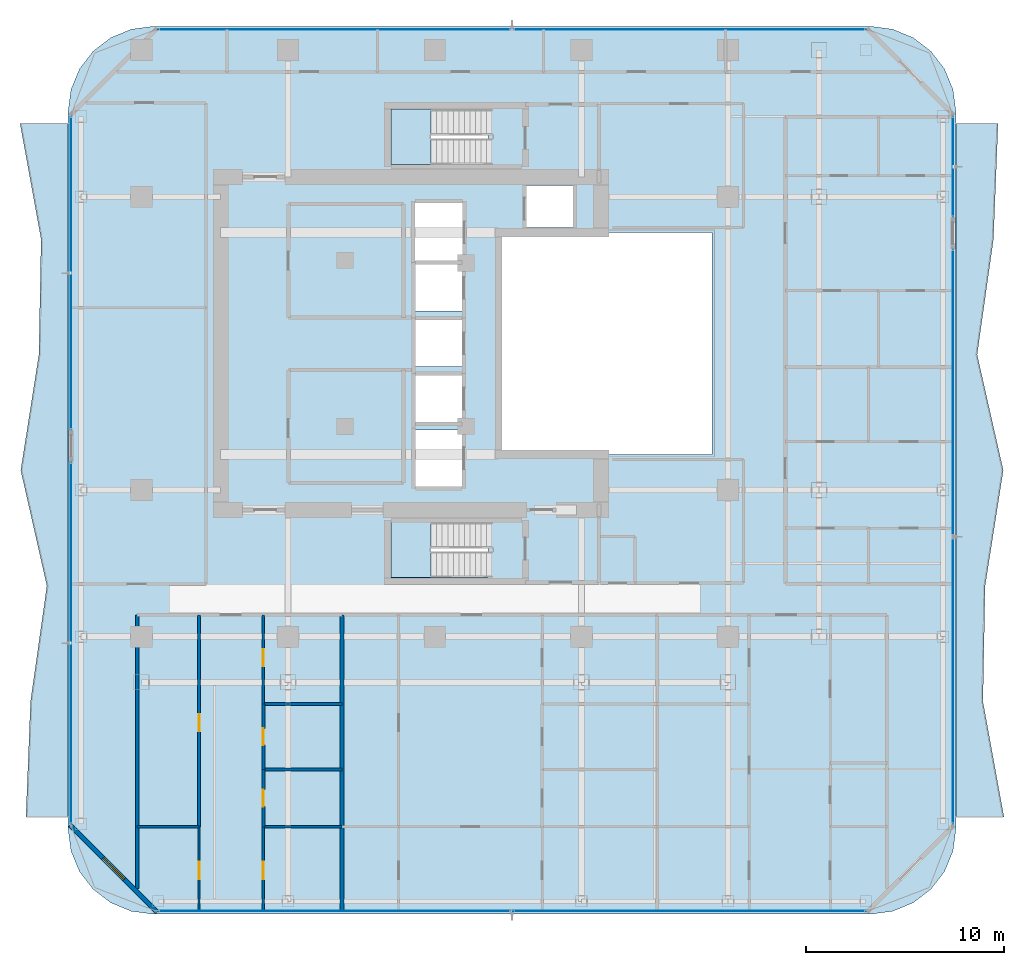
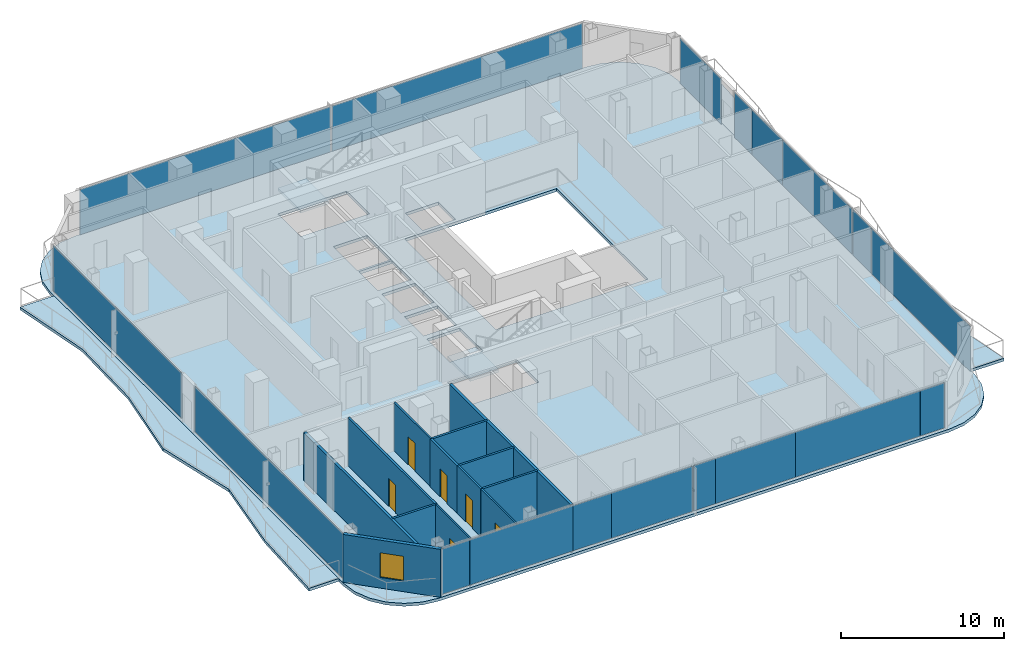
# One storey, part 19 of 27: 18 plates, 13 walls, 6 doors, 5 slabs, 1 window, 7 openings, 8 elements without a shape of their own.
"""IFC4 building model written with IfcOpenShell, lengths in metres."""

from ifc_helpers import new_model, si_unit, direction, frame, frame_2d, origin, origin_2d, place, context, subcontext, project, spatial, polyline, rectangle, outline, extrude, material, layer, layer_set, type_object, element, fill, aggregate, save


model = new_model("IFC4")

# Units and contexts
model_context = context("Model", 3, precision=1e-05, world=origin(), true_north=direction((0.0, 1.0)))
body_context = subcontext(model_context, "Body", "Model", "MODEL_VIEW")
ifc_project = project(units=[si_unit("LENGTHUNIT", "METRE"), si_unit("AREAUNIT", "SQUARE_METRE"), si_unit("VOLUMEUNIT", "CUBIC_METRE"), si_unit("PLANEANGLEUNIT", "RADIAN"), si_unit("MASSUNIT", "GRAM", prefix="KILO")], contexts=[model_context])

# Site, building, storey
site_placement = place(None, origin())
site = spatial("IfcSite", under=ifc_project, at=site_placement, CompositionType="ELEMENT")
building_placement = place(site_placement, origin())
building = spatial("IfcBuilding", under=site, at=building_placement, Name="Khorvyn Point Tower", CompositionType="ELEMENT")
storey_placement = place(building_placement, frame((0.0, 0.0, 231.300048828125)))
storey = spatial("IfcBuildingStorey", under=building, at=storey_placement, Name="L57", CompositionType="ELEMENT", Elevation=231.300048828125)

# Slabs
ifc_material_1 = material(Name="Concrete C35/45", Category="concrete")
ifc_layer_1 = layer(ifc_material_1, 0.219970703125)
ifc_layer_set_1 = layer_set([ifc_layer_1], Name="Concrete C35/45 Structural Floor Slab 220")
slab_type_1 = type_object("IfcSlabType", Name="Concrete C35/45 Structural Floor Slab 220", PredefinedType="FLOOR", material=ifc_layer_set_1)
slab_1_placement = place(storey_placement, frame((0.0, 0.0, -0.219970703125)))
element("IfcSlab", 1, at=slab_1_placement, inside=storey, type_object=slab_type_1, Name="L57 Main Structural Floor Slab", PredefinedType="FLOOR", context=body_context, shape_type="SweptSolid", body=[
    extrude(outline(polyline([(-14.199951171875, -28.800048828125), (-15.31298828125, -28.653564453125), (-16.35009765625, -28.223876953125), (-17.240478515625, -27.54052734375), (-17.923828125, -26.64990234375), (-18.353515625, -25.61279296875), (-18.5, -24.5), (-18.5, 11.699951171875), (-18.353515625, 12.81298828125), (-17.923828125, 13.85009765625), (-17.240478515625, 14.740478515625), (-16.35009765625, 15.423828125), (-15.31298828125, 15.853515625), (-14.199951171875, 16.0), (22.0, 16.0), (23.11279296875, 15.853515625), (24.14990234375, 15.423828125), (25.04052734375, 14.740478515625), (25.723876953125, 13.85009765625), (26.153564453125, 12.81298828125), (26.300048828125, 11.699951171875), (26.300048828125, -24.5), (26.153564453125, -25.61279296875), (25.723876953125, -26.64990234375), (25.04052734375, -27.54052734375), (24.14990234375, -28.223876953125), (23.11279296875, -28.653564453125), (22.0, -28.800048828125), (-14.199951171875, -28.800048828125)]), holes=[polyline([(2.679931640625, -11.820068359375), (2.679931640625, -9.02001953125), (-2.199951171875, -9.02001953125), (-2.199951171875, -11.820068359375), (2.679931640625, -11.820068359375)]), polyline([(1.375, -7.22509765625), (1.375, -4.375), (-0.97509765625, -4.375), (-0.97509765625, -7.22509765625), (1.375, -7.22509765625)]), polyline([(1.375, -3.97509765625), (1.375, -1.625), (-0.97509765625, -1.625), (-0.97509765625, -3.97509765625), (1.375, -3.97509765625)]), polyline([(1.375, -1.175048828125), (1.375, 1.175048828125), (-0.97509765625, 1.175048828125), (-0.97509765625, -1.175048828125), (1.375, -1.175048828125)]), polyline([(14.0, -5.60009765625), (14.0, 5.60009765625), (3.199951171875, 5.60009765625), (3.199951171875, -5.60009765625), (14.0, -5.60009765625)]), polyline([(1.375, 1.625), (1.375, 3.97509765625), (-0.97509765625, 3.97509765625), (-0.97509765625, 1.625), (1.375, 1.625)]), polyline([(1.39990234375, 4.125), (1.39990234375, 7.074951171875), (-1.0, 7.074951171875), (-1.0, 4.125), (1.39990234375, 4.125)]), polyline([(4.625, 5.85009765625), (6.97509765625, 5.85009765625), (6.97509765625, 7.97998046875), (4.625, 7.97998046875), (4.625, 5.85009765625)]), polyline([(-2.199951171875, 9.02001953125), (2.679931640625, 9.02001953125), (2.679931640625, 11.820068359375), (-2.199951171875, 11.820068359375), (-2.199951171875, 9.02001953125)])]), origin(), (0.0, 0.0, 1.0), 0.219970703125),
])
ifc_material_2 = material(Name="Concrete C40/50", Category="concrete")
ifc_layer_2 = layer(ifc_material_2, 0.2099609375)
ifc_layer_set_2 = layer_set([ifc_layer_2], Name="Concrete C40/50 Rippling Balcony Slab 210")
slab_type_2 = type_object("IfcSlabType", Name="Concrete C40/50 Rippling Balcony Slab 210", PredefinedType="USERDEFINED", material=ifc_layer_set_2)
slab_2_placement = place(storey_placement, frame((0.0, 0.0, -0.2099609375)))
element("IfcSlab", 2, at=slab_2_placement, inside=storey, type_object=slab_type_2, Name="L57 East Sinusoidal Rippling Balcony", ObjectType="BALCONY", PredefinedType="USERDEFINED", context=body_context, shape_type="SweptSolid", body=[
    extrude(outline(polyline([(26.300048828125, -23.89990234375), (28.726806640625, -23.89990234375), (27.6630859375, -18.066650390625), (27.775390625, -12.2333984375), (28.69091796875, -6.39990234375), (27.37158203125, -0.566650390625), (28.196044921875, 5.2666015625), (28.427978515625, 11.10009765625), (26.300048828125, 11.10009765625), (26.300048828125, -23.89990234375)])), origin(), (0.0, 0.0, 1.0), 0.2099609375),
])
slab_3_placement = place(storey_placement, frame((0.0, 0.0, -0.2099609375)))
element("IfcSlab", 3, at=slab_3_placement, inside=storey, type_object=slab_type_2, Name="L57 West Sinusoidal Rippling Balcony", ObjectType="BALCONY", PredefinedType="USERDEFINED", context=body_context, shape_type="SweptSolid", body=[
    extrude(outline(polyline([(-18.5, 11.10009765625), (-20.9267578125, 11.10009765625), (-19.86328125, 5.2666015625), (-19.9755859375, -0.566650390625), (-20.890869140625, -6.39990234375), (-19.571533203125, -12.2333984375), (-20.39599609375, -18.066650390625), (-20.628173828125, -23.89990234375), (-18.5, -23.89990234375), (-18.5, 11.10009765625)])), origin(), (0.0, 0.0, 1.0), 0.2099609375),
])

# Stair, slab
stair_type = type_object("IfcStairType", Name="Tower Concrete C40/50 Dogleg Exit Stair", PredefinedType="HALF_TURN_STAIR", material=ifc_material_2)
stair_1_placement = place(storey_placement, origin())
stair_1 = element("IfcStair", 4, at=stair_1_placement, inside=storey, type_object=stair_type, Name="L57 Tower Smokeproof Exit Stair South", PredefinedType="HALF_TURN_STAIR")
ifc_layer_3 = layer(ifc_material_2, 0.199951171875)
ifc_layer_set_3 = layer_set([ifc_layer_3], Name="Concrete C40/50 Stair Landing Slab 200")
slab_type_3 = type_object("IfcSlabType", Name="Concrete C40/50 Stair Landing Slab 200", PredefinedType="LANDING", material=ifc_layer_set_3)
slab_4_placement = place(storey_placement, frame((0.0, 0.0, 1.75)))
slab_4 = element("IfcSlab", 5, at=slab_4_placement, type_object=slab_type_3, Name="ST-01 landing 1", PredefinedType="LANDING", context=body_context, shape_type="SweptSolid", body=[
    extrude(outline(polyline([(-0.179931640625, -9.02001953125), (-2.199951171875, -9.02001953125), (-2.199951171875, -11.820068359375), (-0.179931640625, -11.820068359375), (-0.179931640625, -9.02001953125)])), origin(), (0.0, 0.0, 1.0), 0.199951171875),
])
aggregate(stair_1, [slab_4])

stair_2_placement = place(storey_placement, origin())
stair_2 = element("IfcStair", 6, at=stair_2_placement, inside=storey, type_object=stair_type, Name="L57 Tower Smokeproof Exit Stair North", PredefinedType="HALF_TURN_STAIR")
slab_5_placement = place(storey_placement, frame((0.0, 0.0, 1.75)))
slab_5 = element("IfcSlab", 7, at=slab_5_placement, type_object=slab_type_3, Name="ST-02 landing 1", PredefinedType="LANDING", context=body_context, shape_type="SweptSolid", body=[
    extrude(outline(polyline([(-0.179931640625, 11.820068359375), (-2.199951171875, 11.820068359375), (-2.199951171875, 9.02001953125), (-0.179931640625, 9.02001953125), (-0.179931640625, 11.820068359375)])), origin(), (0.0, 0.0, 1.0), 0.199951171875),
])
aggregate(stair_2, [slab_5])

# Curtain wall, plates
ifc_material_3 = material(Name="Anodised aluminium 6063-T6 and laminated Low-E glass", Category="aluminium")
ifc_layer_4 = layer(ifc_material_3, 0.18994140625)
ifc_layer_set_4 = layer_set([ifc_layer_4], Name="Stick-Built Acoustic Curtain Wall CW-SYS-03")
curtain_wall_type = type_object("IfcCurtainWallType", Name="Stick-Built Acoustic Curtain Wall CW-SYS-03", PredefinedType="NOTDEFINED", material=ifc_layer_set_4)
curtain_wall_1_placement = place(storey_placement, origin())
curtain_wall_1 = element("IfcCurtainWall", 8, at=curtain_wall_1_placement, inside=storey, type_object=curtain_wall_type, Name="Curtain Wall", PredefinedType="NOTDEFINED")
ifc_material_4 = material(Name="Laminated Low-E insulated glass", Category="glass")
ifc_layer_5 = layer(ifc_material_4, 0.028076171875)
ifc_layer_set_5 = layer_set([ifc_layer_5], Name="Tempered Low-E Vision Glazing Panel CW-GL28")
plate_type = type_object("IfcPlateType", Name="Tempered Low-E Vision Glazing Panel CW-GL28", PredefinedType="CURTAIN_PANEL", material=ifc_layer_set_5)
plate_1_placement = place(storey_placement, frame((4.717529296875, -28.64990234375, 0.10009765625), z_axis=(0.0, 0.0, 1.0), x_axis=(-1.0, 0.0, 0.0)))
plate_1 = element("IfcPlate", 9, at=plate_1_placement, type_object=plate_type, Name="Panel", PredefinedType="CURTAIN_PANEL", context=body_context, shape_type="SweptSolid", body=[
    extrude(rectangle(XDim=1.527099609375, YDim=0.028076171875, at=origin_2d()), origin(), (0.0, 0.0, 1.0), 3.39990234375),
])
plate_2_placement = place(storey_placement, frame((8.326416015625, -28.64990234375, 0.10009765625), z_axis=(0.0, 0.0, 1.0), x_axis=(-1.0, 0.0, 0.0)))
plate_2 = element("IfcPlate", 10, at=plate_2_placement, type_object=plate_type, Name="Panel", PredefinedType="CURTAIN_PANEL", context=body_context, shape_type="SweptSolid", body=[
    extrude(rectangle(XDim=5.675048828125, YDim=0.028076171875, at=origin_2d()), origin(), (0.0, 0.0, 1.0), 3.39990234375),
])
plate_3_placement = place(storey_placement, frame((15.59912109375, -28.64990234375, 0.10009765625), z_axis=(0.0, 0.0, 1.0), x_axis=(-1.0, 0.0, 0.0)))
plate_3 = element("IfcPlate", 11, at=plate_3_placement, type_object=plate_type, Name="Panel", PredefinedType="CURTAIN_PANEL", context=body_context, shape_type="SweptSolid", body=[
    extrude(rectangle(XDim=8.85400390625, YDim=0.028076171875, at=origin_2d()), origin(), (0.0, 0.0, 1.0), 3.39990234375),
])
plate_4_placement = place(storey_placement, frame((20.889892578125, -28.64990234375, 0.10009765625), z_axis=(0.0, 0.0, 1.0), x_axis=(-1.0, 0.0, 0.0)))
plate_4 = element("IfcPlate", 12, at=plate_4_placement, type_object=plate_type, Name="Panel", PredefinedType="CURTAIN_PANEL", context=body_context, shape_type="SweptSolid", body=[
    extrude(rectangle(XDim=1.7119140625, YDim=0.028076171875, at=origin_2d()), origin(), (0.0, 0.0, 1.0), 3.39990234375),
])
plate_5_placement = place(storey_placement, frame((-12.951904296875, -28.64990234375, 0.10009765625), z_axis=(0.0, 0.0, 1.0), x_axis=(-1.0, 0.0, 0.0)))
plate_5 = element("IfcPlate", 13, at=plate_5_placement, type_object=plate_type, Name="Panel", PredefinedType="CURTAIN_PANEL", context=body_context, shape_type="SweptSolid", body=[
    extrude(rectangle(XDim=1.988037109375, YDim=0.028076171875, at=origin_2d()), origin(), (0.0, 0.0, 1.0), 3.39990234375),
])
plate_6_placement = place(storey_placement, frame((-8.285400390625, -28.64990234375, 0.10009765625), z_axis=(0.0, 0.0, 1.0), x_axis=(-1.0, 0.0, 0.0)))
plate_6 = element("IfcPlate", 14, at=plate_6_placement, type_object=plate_type, Name="Panel", PredefinedType="CURTAIN_PANEL", context=body_context, shape_type="SweptSolid", body=[
    extrude(rectangle(XDim=7.3291015625, YDim=0.028076171875, at=origin_2d()), origin(), (0.0, 0.0, 1.0), 3.39990234375),
])
plate_7_placement = place(storey_placement, frame((-3.251953125, -28.64990234375, 0.10009765625), z_axis=(0.0, 0.0, 1.0), x_axis=(-1.0, 0.0, 0.0)))
plate_7 = element("IfcPlate", 15, at=plate_7_placement, type_object=plate_type, Name="Panel", PredefinedType="CURTAIN_PANEL", context=body_context, shape_type="SweptSolid", body=[
    extrude(rectangle(XDim=2.721923828125, YDim=0.028076171875, at=origin_2d()), origin(), (0.0, 0.0, 1.0), 3.39990234375),
])
plate_8_placement = place(storey_placement, frame((0.9814453125, -28.64990234375, 0.10009765625), z_axis=(0.0, 0.0, 1.0), x_axis=(-1.0, 0.0, 0.0)))
plate_8 = element("IfcPlate", 16, at=plate_8_placement, type_object=plate_type, Name="Panel", PredefinedType="CURTAIN_PANEL", context=body_context, shape_type="SweptSolid", body=[
    extrude(rectangle(XDim=5.72900390625, YDim=0.028076171875, at=origin_2d()), origin(), (0.0, 0.0, 1.0), 3.39990234375),
])
aggregate(curtain_wall_1, [plate_1, plate_2, plate_3, plate_4, plate_5, plate_6, plate_7, plate_8])

curtain_wall_2_placement = place(storey_placement, origin())
curtain_wall_2 = element("IfcCurtainWall", 17, at=curtain_wall_2_placement, inside=storey, type_object=curtain_wall_type, Name="Curtain Wall", PredefinedType="NOTDEFINED")
plate_9_placement = place(storey_placement, frame((-5.050048828125, 15.85009765625, 0.10009765625), z_axis=(0.0, 0.0, 1.0), x_axis=(1.0, 0.0, 0.0)))
plate_9 = element("IfcPlate", 18, at=plate_9_placement, type_object=plate_type, Name="Panel", PredefinedType="CURTAIN_PANEL", context=body_context, shape_type="SweptSolid", body=[
    extrude(rectangle(XDim=17.800048828125, YDim=0.028076171875, at=origin_2d()), origin(), (0.0, 0.0, 1.0), 3.39990234375),
])
plate_10_placement = place(storey_placement, frame((12.85009765625, 15.85009765625, 0.10009765625), z_axis=(0.0, 0.0, 1.0), x_axis=(1.0, 0.0, 0.0)))
plate_10 = element("IfcPlate", 19, at=plate_10_placement, type_object=plate_type, Name="Panel", PredefinedType="CURTAIN_PANEL", context=body_context, shape_type="SweptSolid", body=[
    extrude(rectangle(XDim=17.800048828125, YDim=0.028076171875, at=origin_2d()), origin(), (0.0, 0.0, 1.0), 3.39990234375),
])
aggregate(curtain_wall_2, [plate_9, plate_10])

# Curtain wall, plate
curtain_wall_3_placement = place(storey_placement, origin())
curtain_wall_3 = element("IfcCurtainWall", 20, at=curtain_wall_3_placement, inside=storey, type_object=curtain_wall_type, Name="Curtain Wall", PredefinedType="NOTDEFINED")
plate_11_placement = place(storey_placement, frame((-18.35009765625, -15.125, 0.10009765625), z_axis=(0.0, 0.0, 1.0), x_axis=(0.0, 1.0, 0.0)))
plate_11 = element("IfcPlate", 21, at=plate_11_placement, type_object=plate_type, Name="Panel", PredefinedType="CURTAIN_PANEL", context=body_context, shape_type="SweptSolid", body=[
    extrude(rectangle(XDim=18.25, YDim=0.028076171875, at=origin_2d()), origin(), (0.0, 0.0, 1.0), 3.39990234375),
])
aggregate(curtain_wall_3, [plate_11])

curtain_wall_4_placement = place(storey_placement, origin())
curtain_wall_4 = element("IfcCurtainWall", 22, at=curtain_wall_4_placement, inside=storey, type_object=curtain_wall_type, Name="Curtain Wall", PredefinedType="NOTDEFINED")
plate_12_placement = place(storey_placement, frame((-18.35009765625, 3.544921875, 0.10009765625), z_axis=(0.0, 0.0, 1.0), x_axis=(0.0, 1.0, 0.0)))
plate_12 = element("IfcPlate", 23, at=plate_12_placement, type_object=plate_type, Name="Panel", PredefinedType="CURTAIN_PANEL", context=body_context, shape_type="SweptSolid", body=[
    extrude(rectangle(XDim=15.81005859375, YDim=0.028076171875, at=origin_2d()), origin(), (0.0, 0.0, 1.0), 3.39990234375),
])
aggregate(curtain_wall_4, [plate_12])

curtain_wall_5_placement = place(storey_placement, origin())
curtain_wall_5 = element("IfcCurtainWall", 24, at=curtain_wall_5_placement, inside=storey, type_object=curtain_wall_type, Name="Curtain Wall", PredefinedType="NOTDEFINED")
plate_13_placement = place(storey_placement, frame((26.14990234375, 8.916015625, 0.10009765625), z_axis=(0.0, 0.0, 1.0), x_axis=(0.0, -1.0, 0.0)))
plate_13 = element("IfcPlate", 25, at=plate_13_placement, type_object=plate_type, Name="Panel", PredefinedType="CURTAIN_PANEL", context=body_context, shape_type="SweptSolid", body=[
    extrude(rectangle(XDim=5.068115234375, YDim=0.028076171875, at=origin_2d()), origin(), (0.0, 0.0, 1.0), 3.39990234375),
])
aggregate(curtain_wall_5, [plate_13])

# Curtain wall, plates
curtain_wall_6_placement = place(storey_placement, origin())
curtain_wall_6 = element("IfcCurtainWall", 26, at=curtain_wall_6_placement, inside=storey, type_object=curtain_wall_type, Name="Curtain Wall", PredefinedType="NOTDEFINED")
plate_14_placement = place(storey_placement, frame((26.14990234375, -5.41845703125, 0.10009765625), z_axis=(0.0, 0.0, 1.0), x_axis=(0.0, -1.0, 0.0)))
plate_14 = element("IfcPlate", 27, at=plate_14_placement, type_object=plate_type, Name="Panel", PredefinedType="CURTAIN_PANEL", context=body_context, shape_type="SweptSolid", body=[
    extrude(rectangle(XDim=8.56298828125, YDim=0.028076171875, at=origin_2d()), origin(), (0.0, 0.0, 1.0), 3.39990234375),
])
plate_15_placement = place(storey_placement, frame((26.14990234375, 0.735107421875, 0.10009765625), z_axis=(0.0, 0.0, 1.0), x_axis=(0.0, -1.0, 0.0)))
plate_15 = element("IfcPlate", 28, at=plate_15_placement, type_object=plate_type, Name="Panel", PredefinedType="CURTAIN_PANEL", context=body_context, shape_type="SweptSolid", body=[
    extrude(rectangle(XDim=3.72802734375, YDim=0.028076171875, at=origin_2d()), origin(), (0.0, 0.0, 1.0), 3.39990234375),
])
plate_16_placement = place(storey_placement, frame((26.14990234375, 3.672607421875, 0.10009765625), z_axis=(0.0, 0.0, 1.0), x_axis=(0.0, -1.0, 0.0)))
plate_16 = element("IfcPlate", 29, at=plate_16_placement, type_object=plate_type, Name="Panel", PredefinedType="CURTAIN_PANEL", context=body_context, shape_type="SweptSolid", body=[
    extrude(rectangle(XDim=2.131103515625, YDim=0.028076171875, at=origin_2d()), origin(), (0.0, 0.0, 1.0), 3.39990234375),
])
plate_17_placement = place(storey_placement, frame((26.14990234375, -18.155029296875, 0.10009765625), z_axis=(0.0, 0.0, 1.0), x_axis=(0.0, -1.0, 0.0)))
plate_17 = element("IfcPlate", 30, at=plate_17_placement, type_object=plate_type, Name="Panel", PredefinedType="CURTAIN_PANEL", context=body_context, shape_type="SweptSolid", body=[
    extrude(rectangle(XDim=12.181884765625, YDim=0.028076171875, at=origin_2d()), origin(), (0.0, 0.0, 1.0), 3.39990234375),
])
plate_18_placement = place(storey_placement, frame((26.14990234375, -10.931884765625, 0.10009765625), z_axis=(0.0, 0.0, 1.0), x_axis=(0.0, -1.0, 0.0)))
plate_18 = element("IfcPlate", 31, at=plate_18_placement, type_object=plate_type, Name="Panel", PredefinedType="CURTAIN_PANEL", context=body_context, shape_type="SweptSolid", body=[
    extrude(rectangle(XDim=2.248046875, YDim=0.028076171875, at=origin_2d()), origin(), (0.0, 0.0, 1.0), 3.39990234375),
])
aggregate(curtain_wall_6, [plate_14, plate_15, plate_16, plate_17, plate_18])

# Walls
ifc_material_5 = material(Name="Double acoustic gypsum on twin steel stud", Category="steel")
ifc_layer_6 = layer(ifc_material_5, 0.179931640625)
ifc_layer_set_6 = layer_set([ifc_layer_6], Name="Acoustic Double-Stud Apartment Demising Wall 180")
wall_type_1 = type_object("IfcWallType", Name="Acoustic Double-Stud Apartment Demising Wall 180", PredefinedType="PARTITIONING", material=ifc_layer_set_6)
wall_1_placement = place(storey_placement, frame((-4.677001953125, -28.6298828125, 0.0), z_axis=(0.0, 0.0, 1.0), x_axis=(0.0, 1.0, 0.0)))
element("IfcWall", 32, at=wall_1_placement, inside=storey, type_object=wall_type_1, Name="Wall", PredefinedType="PARTITIONING", context=body_context, shape_type="SweptSolid", body=[
    extrude(rectangle(XDim=14.929931640625, YDim=0.179931640625, at=frame_2d((7.46484375, 0.0))), origin(), (0.0, 0.0, 1.0), 3.599853515625),
])
wall_2_placement = place(storey_placement, frame((-15.02001953125, -27.510009765625, 0.0), z_axis=(0.0, 0.0, 1.0), x_axis=(0.0, 1.0, 0.0)))
element("IfcWall", 33, at=wall_2_placement, inside=storey, type_object=wall_type_1, Name="Wall", PredefinedType="PARTITIONING", context=body_context, shape_type="SweptSolid", body=[
    extrude(rectangle(XDim=13.81005859375, YDim=0.179931640625, at=frame_2d((6.905029296875, 0.0))), origin(), (0.0, 0.0, 1.0), 3.599853515625),
])

# Wall, opening, window
ifc_material_6 = material(Name="Pale anodised aluminium rainscreen on steel stud", Category="steel")
ifc_layer_7 = layer(ifc_material_6, 0.239990234375)
ifc_layer_set_7 = layer_set([ifc_layer_7], Name="Anodised Aluminium Insulated Corner Spandrel Wall 240")
wall_type_2 = type_object("IfcWallType", Name="Anodised Aluminium Insulated Corner Spandrel Wall 240", PredefinedType="SOLIDWALL", material=ifc_layer_set_7)
wall_3_placement = place(storey_placement, frame((-14.007568359375, -28.6923828125, 0.0), z_axis=(0.0, 0.0, 1.0), x_axis=(-0.707106781187, 0.707106781187, 0.0)))
wall_3 = element("IfcWall", 34, at=wall_3_placement, inside=storey, type_object=wall_type_2, Name="L57 Rounded Corner Wall SW", PredefinedType="SOLIDWALL", context=body_context, shape_type="SweptSolid", body=[
    extrude(rectangle(XDim=6.200927734375, YDim=0.239990234375, at=frame_2d((3.1005859375, 0.0))), origin(), (0.0, 0.0, 1.0), 3.599853515625),
])
opening_1_placement = place(wall_3_placement, frame((2.3505859375, 0.0, 0.800048828125)))
opening_1 = element("IfcOpeningElement", 35, at=opening_1_placement, cuts=wall_3, Name="Opening WN-1518", PredefinedType="OPENING", context=body_context, shape_type="SweptSolid", body=[
    extrude(rectangle(XDim=1.5, YDim=1.85009765625, at=frame_2d((0.75, 0.925048828125))), frame((0.0, 0.1298828125, 0.0), z_axis=(0.0, -1.0, 0.0), x_axis=(1.0, 0.0, 0.0)), (0.0, 0.0, 1.0), 0.260009765625),
])
window_type = type_object("IfcWindowType", Name="Anodised Aluminium Rounded-Corner Panoramic Window 1500x1850", PartitioningType="SINGLE_PANEL", PredefinedType="WINDOW", material=ifc_material_3)
window_placement = place(opening_1_placement, origin())
window = element("IfcWindow", 36, at=window_placement, inside=storey, type_object=window_type, Name="L57 Corner Panoramic Window SW", OverallHeight=1.85009765625, OverallWidth=1.5, PartitioningType="SINGLE_PANEL", PredefinedType="WINDOW", context=body_context, shape_type="SweptSolid", body=[
    extrude(rectangle(XDim=1.5, YDim=1.85009765625, at=frame_2d((0.75, 0.925048828125))), frame((0.0, 0.030029296875, 0.0), z_axis=(0.0, -1.0, 0.0), x_axis=(1.0, 0.0, 0.0)), (0.0, 0.0, 1.0), 0.06005859375),
])
fill(opening_1, window)

# Wall, opening, door
ifc_material_7 = material(Name="Gypsum plasterboard on steel stud", Category="steel")
ifc_layer_8 = layer(ifc_material_7, 0.1201171875)
ifc_layer_set_8 = layer_set([ifc_layer_8], Name="Gypsum Acoustic Stud Room Partition Wall 120")
wall_type_3 = type_object("IfcWallType", Name="Gypsum Acoustic Stud Room Partition Wall 120", PredefinedType="PARTITIONING", material=ifc_layer_set_8)
wall_4_placement = place(storey_placement, frame((-11.89404296875, -28.6298828125, 0.0), z_axis=(0.0, 0.0, 1.0), x_axis=(0.0, 1.0, 0.0)))
wall_4 = element("IfcWall", 37, at=wall_4_placement, inside=storey, type_object=wall_type_3, Name="Wall", PredefinedType="PARTITIONING", context=body_context, shape_type="SweptSolid", body=[
    extrude(rectangle(XDim=4.239990234375, YDim=0.1201171875, at=frame_2d((2.1201171875, 0.0))), origin(), (0.0, 0.0, 1.0), 3.599853515625),
])
opening_2_placement = place(wall_4_placement, frame((1.581298828125, 0.0, 0.0)))
opening_2 = element("IfcOpeningElement", 38, at=opening_2_placement, cuts=wall_4, Name="Opening ID-RM90", PredefinedType="OPENING", context=body_context, shape_type="SweptSolid", body=[
    extrude(rectangle(XDim=0.89990234375, YDim=2.10009765625, at=frame_2d((0.449951171875, 1.050048828125))), frame((0.0, 0.070068359375, 0.0), z_axis=(0.0, -1.0, 0.0), x_axis=(1.0, 0.0, 0.0)), (0.0, 0.0, 1.0), 0.14013671875),
])
ifc_material_8 = material(Name="Engineered oak veneer timber", Category="wood")
door_type_1 = type_object("IfcDoorType", Name="Flush Engineered Timber Room Door 900x2100", OperationType="NOTDEFINED", PredefinedType="DOOR", material=ifc_material_8)
door_1_placement = place(opening_2_placement, origin())
door_1 = element("IfcDoor", 39, at=door_1_placement, inside=storey, type_object=door_type_1, Name="Door", OperationType="SINGLE_SWING_RIGHT", OverallHeight=2.10009765625, OverallWidth=0.89990234375, PredefinedType="DOOR", context=body_context, shape_type="SweptSolid", body=[
    extrude(rectangle(XDim=0.89990234375, YDim=2.10009765625, at=frame_2d((0.449951171875, 1.050048828125))), frame((0.0, 0.02490234375, 0.0), z_axis=(0.0, -1.0, 0.0), x_axis=(1.0, 0.0, 0.0)), (0.0, 0.0, 1.0), 0.050048828125),
])
fill(opening_2, door_1)

wall_5_placement = place(storey_placement, frame((-8.64404296875, -18.18994140625, 0.0), z_axis=(0.0, 0.0, 1.0), x_axis=(0.0, 1.0, 0.0)))
wall_5 = element("IfcWall", 40, at=wall_5_placement, inside=storey, type_object=wall_type_3, Name="Wall", PredefinedType="PARTITIONING", context=body_context, shape_type="SweptSolid", body=[
    extrude(rectangle(XDim=4.489990234375, YDim=0.1201171875, at=frame_2d((2.2451171875, 0.0))), origin(), (0.0, 0.0, 1.0), 3.599853515625),
])
opening_3_placement = place(wall_5_placement, frame((1.907470703125, 0.0, 0.0)))
opening_3 = element("IfcOpeningElement", 41, at=opening_3_placement, cuts=wall_5, Name="Opening ID-WC85", PredefinedType="OPENING", context=body_context, shape_type="SweptSolid", body=[
    extrude(rectangle(XDim=0.85009765625, YDim=2.10009765625, at=frame_2d((0.425048828125, 1.050048828125))), frame((0.0, 0.070068359375, 0.0), z_axis=(0.0, -1.0, 0.0), x_axis=(1.0, 0.0, 0.0)), (0.0, 0.0, 1.0), 0.14013671875),
])
ifc_material_9 = material(Name="High-pressure laminate on moisture-resistant core", Category="wood")
door_type_2 = type_object("IfcDoorType", Name="Moisture-Resistant Accessible Washroom Door 850x2100", OperationType="NOTDEFINED", PredefinedType="DOOR", material=ifc_material_9)
door_2_placement = place(opening_3_placement, origin())
door_2 = element("IfcDoor", 42, at=door_2_placement, inside=storey, type_object=door_type_2, Name="Door", OperationType="SINGLE_SWING_LEFT", OverallHeight=2.10009765625, OverallWidth=0.85009765625, PredefinedType="DOOR", context=body_context, shape_type="SweptSolid", body=[
    extrude(rectangle(XDim=0.85009765625, YDim=2.10009765625, at=frame_2d((0.425048828125, 1.050048828125))), frame((0.0, 0.02490234375, 0.0), z_axis=(0.0, -1.0, 0.0), x_axis=(1.0, 0.0, 0.0)), (0.0, 0.0, 1.0), 0.050048828125),
])
fill(opening_3, door_2)

wall_6_placement = place(storey_placement, frame((-8.64404296875, -28.6298828125, 0.0), z_axis=(0.0, 0.0, 1.0), x_axis=(0.0, 1.0, 0.0)))
wall_6 = element("IfcWall", 43, at=wall_6_placement, inside=storey, type_object=wall_type_3, Name="Wall", PredefinedType="PARTITIONING", context=body_context, shape_type="SweptSolid", body=[
    extrude(rectangle(XDim=4.239990234375, YDim=0.1201171875, at=frame_2d((2.1201171875, 0.0))), origin(), (0.0, 0.0, 1.0), 3.599853515625),
])
opening_4_placement = place(wall_6_placement, frame((1.581298828125, 0.0, 0.0)))
opening_4 = element("IfcOpeningElement", 44, at=opening_4_placement, cuts=wall_6, Name="Opening ID-RM90", PredefinedType="OPENING", context=body_context, shape_type="SweptSolid", body=[
    extrude(rectangle(XDim=0.89990234375, YDim=2.10009765625, at=frame_2d((0.449951171875, 1.050048828125))), frame((0.0, 0.070068359375, 0.0), z_axis=(0.0, -1.0, 0.0), x_axis=(1.0, 0.0, 0.0)), (0.0, 0.0, 1.0), 0.14013671875),
])
door_3_placement = place(opening_4_placement, origin())
door_3 = element("IfcDoor", 45, at=door_3_placement, inside=storey, type_object=door_type_1, Name="Door", OperationType="SINGLE_SWING_RIGHT", OverallHeight=2.10009765625, OverallWidth=0.89990234375, PredefinedType="DOOR", context=body_context, shape_type="SweptSolid", body=[
    extrude(rectangle(XDim=0.89990234375, YDim=2.10009765625, at=frame_2d((0.449951171875, 1.050048828125))), frame((0.0, 0.02490234375, 0.0), z_axis=(0.0, -1.0, 0.0), x_axis=(1.0, 0.0, 0.0)), (0.0, 0.0, 1.0), 0.050048828125),
])
fill(opening_4, door_3)

ifc_material_10 = material(Name="Moisture-resistant gypsum and cement board", Category="gypsum")
ifc_layer_9 = layer(ifc_material_10, 0.14990234375)
ifc_layer_set_9 = layer_set([ifc_layer_9], Name="Moisture-Resistant Wet-Room Partition Wall 150")
wall_type_4 = type_object("IfcWallType", Name="Moisture-Resistant Wet-Room Partition Wall 150", PredefinedType="PARTITIONING", material=ifc_layer_set_9)
wall_7_placement = place(storey_placement, frame((-11.89404296875, -24.389892578125, 0.0), z_axis=(0.0, 0.0, 1.0), x_axis=(0.0, 1.0, 0.0)))
wall_7 = element("IfcWall", 46, at=wall_7_placement, inside=storey, type_object=wall_type_4, Name="Wall", PredefinedType="PARTITIONING", context=body_context, shape_type="SweptSolid", body=[
    extrude(rectangle(XDim=10.68994140625, YDim=0.14990234375, at=frame_2d((5.344970703125, 0.0))), origin(), (0.0, 0.0, 1.0), 3.599853515625),
])
opening_5_placement = place(wall_7_placement, frame((4.830078125, 0.0, 0.0)))
opening_5 = element("IfcOpeningElement", 47, at=opening_5_placement, cuts=wall_7, Name="Opening ID-WC85", PredefinedType="OPENING", context=body_context, shape_type="SweptSolid", body=[
    extrude(rectangle(XDim=0.85009765625, YDim=2.10009765625, at=frame_2d((0.425048828125, 1.050048828125))), frame((0.0, 0.0849609375, 0.0), z_axis=(0.0, -1.0, 0.0), x_axis=(1.0, 0.0, 0.0)), (0.0, 0.0, 1.0), 0.169921875),
])
door_4_placement = place(opening_5_placement, origin())
door_4 = element("IfcDoor", 48, at=door_4_placement, inside=storey, type_object=door_type_2, Name="Door", OperationType="SINGLE_SWING_LEFT", OverallHeight=2.10009765625, OverallWidth=0.85009765625, PredefinedType="DOOR", context=body_context, shape_type="SweptSolid", body=[
    extrude(rectangle(XDim=0.85009765625, YDim=2.10009765625, at=frame_2d((0.425048828125, 1.050048828125))), frame((0.0, 0.02490234375, 0.0), z_axis=(0.0, -1.0, 0.0), x_axis=(1.0, 0.0, 0.0)), (0.0, 0.0, 1.0), 0.050048828125),
])
fill(opening_5, door_4)

wall_8_placement = place(storey_placement, frame((-8.64404296875, -24.389892578125, 0.0), z_axis=(0.0, 0.0, 1.0), x_axis=(0.0, 1.0, 0.0)))
wall_8 = element("IfcWall", 49, at=wall_8_placement, inside=storey, type_object=wall_type_4, Name="Wall", PredefinedType="PARTITIONING", context=body_context, shape_type="SweptSolid", body=[
    extrude(rectangle(XDim=2.885986328125, YDim=0.14990234375, at=frame_2d((1.44287109375, 0.0))), origin(), (0.0, 0.0, 1.0), 3.599853515625),
])
opening_6_placement = place(wall_8_placement, frame((1.01806640625, 0.0, 0.0)))
opening_6 = element("IfcOpeningElement", 50, at=opening_6_placement, cuts=wall_8, Name="Opening ID-WC85", PredefinedType="OPENING", context=body_context, shape_type="SweptSolid", body=[
    extrude(rectangle(XDim=0.85009765625, YDim=2.10009765625, at=frame_2d((0.425048828125, 1.050048828125))), frame((0.0, 0.0849609375, 0.0), z_axis=(0.0, -1.0, 0.0), x_axis=(1.0, 0.0, 0.0)), (0.0, 0.0, 1.0), 0.169921875),
])
door_5_placement = place(opening_6_placement, origin())
door_5 = element("IfcDoor", 51, at=door_5_placement, inside=storey, type_object=door_type_2, Name="Door", OperationType="SINGLE_SWING_LEFT", OverallHeight=2.10009765625, OverallWidth=0.85009765625, PredefinedType="DOOR", context=body_context, shape_type="SweptSolid", body=[
    extrude(rectangle(XDim=0.85009765625, YDim=2.10009765625, at=frame_2d((0.425048828125, 1.050048828125))), frame((0.0, 0.02490234375, 0.0), z_axis=(0.0, -1.0, 0.0), x_axis=(1.0, 0.0, 0.0)), (0.0, 0.0, 1.0), 0.050048828125),
])
fill(opening_6, door_5)

wall_9_placement = place(storey_placement, frame((-8.64404296875, -21.50390625, 0.0), z_axis=(0.0, 0.0, 1.0), x_axis=(0.0, 1.0, 0.0)))
wall_9 = element("IfcWall", 52, at=wall_9_placement, inside=storey, type_object=wall_type_4, Name="Wall", PredefinedType="PARTITIONING", context=body_context, shape_type="SweptSolid", body=[
    extrude(rectangle(XDim=3.31396484375, YDim=0.14990234375, at=frame_2d((1.656982421875, 0.0))), origin(), (0.0, 0.0, 1.0), 3.599853515625),
])
opening_7_placement = place(wall_9_placement, frame((1.23193359375, 0.0, 0.0)))
opening_7 = element("IfcOpeningElement", 53, at=opening_7_placement, cuts=wall_9, Name="Opening ID-WC85", PredefinedType="OPENING", context=body_context, shape_type="SweptSolid", body=[
    extrude(rectangle(XDim=0.85009765625, YDim=2.10009765625, at=frame_2d((0.425048828125, 1.050048828125))), frame((0.0, 0.0849609375, 0.0), z_axis=(0.0, -1.0, 0.0), x_axis=(1.0, 0.0, 0.0)), (0.0, 0.0, 1.0), 0.169921875),
])
door_6_placement = place(opening_7_placement, origin())
door_6 = element("IfcDoor", 54, at=door_6_placement, inside=storey, type_object=door_type_2, Name="Door", OperationType="SINGLE_SWING_RIGHT", OverallHeight=2.10009765625, OverallWidth=0.85009765625, PredefinedType="DOOR", context=body_context, shape_type="SweptSolid", body=[
    extrude(rectangle(XDim=0.85009765625, YDim=2.10009765625, at=frame_2d((0.425048828125, 1.050048828125))), frame((0.0, 0.02490234375, 0.0), z_axis=(0.0, -1.0, 0.0), x_axis=(1.0, 0.0, 0.0)), (0.0, 0.0, 1.0), 0.050048828125),
])
fill(opening_7, door_6)

# Walls
wall_10_placement = place(storey_placement, frame((-15.02001953125, -24.389892578125, 0.0), z_axis=(0.0, 0.0, 1.0), x_axis=(1.0, 0.0, 0.0)))
element("IfcWall", 55, at=wall_10_placement, inside=storey, type_object=wall_type_4, Name="Wall", PredefinedType="PARTITIONING", context=body_context, shape_type="SweptSolid", body=[
    extrude(rectangle(XDim=3.1259765625, YDim=0.14990234375, at=frame_2d((1.56298828125, 0.0))), origin(), (0.0, 0.0, 1.0), 3.599853515625),
])
for number, where, z_axis, x_axis, name in (
    (56, (-8.64404296875, -21.50390625, 0.0), (0.0, 0.0, 1.0), (1.0, 0.0, 0.0), "Wall"),
    (57, (-8.64404296875, -18.18994140625, 0.0), (0.0, 0.0, 1.0), (1.0, 0.0, 0.0), "Wall"),
    (58, (-8.64404296875, -24.389892578125, 0.0), (0.0, 0.0, 1.0), (1.0, 0.0, 0.0), "Wall"),
):
    element("IfcWall", number, at=place(storey_placement, frame(where, z_axis=z_axis, x_axis=x_axis)), inside=storey, type_object=wall_type_4, Name=name, PredefinedType="PARTITIONING", context=body_context, shape_type="SweptSolid", body=[
        extrude(rectangle(XDim=3.967041015625, YDim=0.14990234375, at=frame_2d((1.9833984375, 0.0))), origin(), (0.0, 0.0, 1.0), 3.599853515625),
    ])

save(model, "model.ifc")
